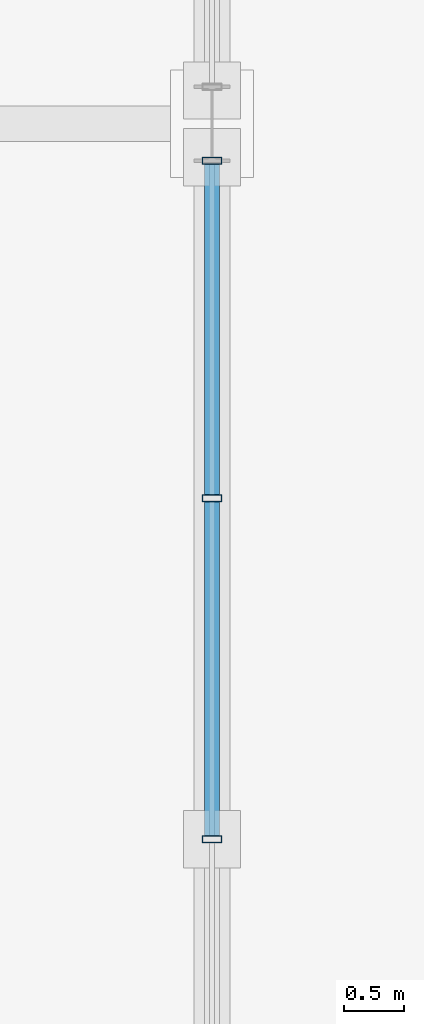
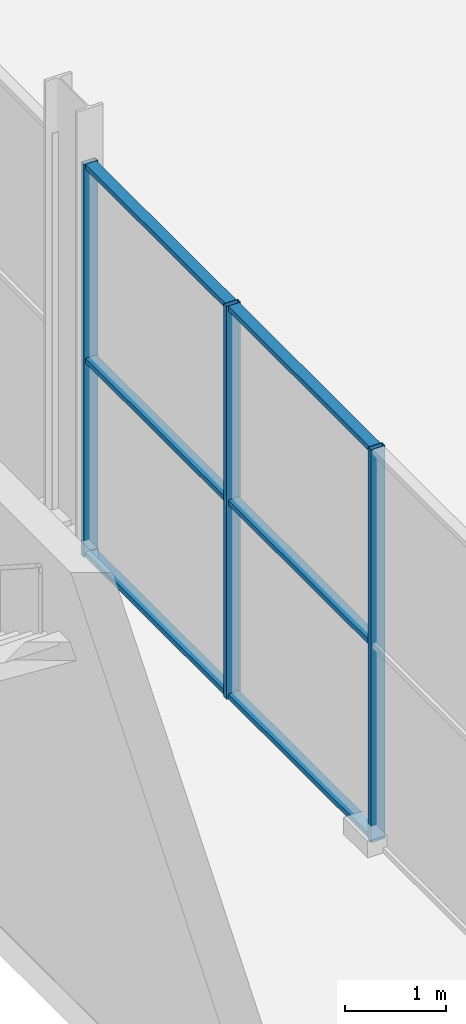
# One storey, part 58 of 196: 9 members, 1 element without a shape of its own.
"""IFC4 building model written with IfcOpenShell, lengths in metres."""

import ifcopenshell
import ifcopenshell.guid

model = None  # the IFC model being written
_history = None  # IfcOwnerHistory: only IFC2X3 demands one
_inside = {}  # id of a spatial element -> (the spatial element, [elements in it])
_under = {}  # id of a project, library or spatial element -> (it, [spatial elements below it])
_declared = {}  # id of a project -> (the project, [libraries it declares])
_typed = {}  # id of a type object -> (the type object, [elements of that type])
_made_of = {}  # id of a material, layer set ... -> (it, [elements and type objects made of it])


def new_model(schema):
    """Start an empty IFC model of exactly this schema.

    Asked for "IFC4X3", IfcOpenShell would pick the latest addendum, in which some entities
    have other attributes; the version numbers below select the first issue.
    IFC2X3 requires an IfcOwnerHistory on every rooted entity: one is made here for all.
    """
    global model, _history
    if schema == "IFC4X3":
        model = ifcopenshell.file(schema_version=(4, 3, 0, 0))
    else:
        model = ifcopenshell.file(schema=schema)
    _inside.clear()
    _under.clear()
    _declared.clear()
    _typed.clear()
    _made_of.clear()
    _history = None
    if model.schema == "IFC2X3":
        org = make("IfcOrganization", Name="unknown")
        user = make(
            "IfcPersonAndOrganization",
            ThePerson=make("IfcPerson", FamilyName="unknown"),
            TheOrganization=org,
        )
        app = make(
            "IfcApplication",
            ApplicationDeveloper=org,
            Version="unknown",
            ApplicationFullName="unknown",
            ApplicationIdentifier="unknown",
        )
        _history = make(
            "IfcOwnerHistory",
            OwningUser=user,
            OwningApplication=app,
            ChangeAction="ADDED",
            CreationDate=0,
        )
    return model


def make(cls, **values):
    """One entity of the class cls with the attributes given. An attribute that is None is left unset."""
    return model.create_entity(
        cls, **{name: value for name, value in values.items() if value is not None}
    )


def rooted(cls, **values):
    """An entity with a GlobalId (a new one), such as an element, a storey or a relation."""
    return make(cls, GlobalId=ifcopenshell.guid.new(), OwnerHistory=_history, **values)


def si_unit(unit_type, name, prefix=None):
    """IfcSIUnit, for example si_unit("LENGTHUNIT", "METRE", prefix="MILLI")."""
    return make("IfcSIUnit", UnitType=unit_type, Prefix=prefix, Name=name)


def assignment(units):
    """IfcUnitAssignment: the units of a project."""
    return None if units is None else make("IfcUnitAssignment", Units=units)


def point(xyz):
    """IfcCartesianPoint."""
    return None if xyz is None else make("IfcCartesianPoint", Coordinates=xyz)


def direction(xyz):
    """IfcDirection."""
    return None if xyz is None else make("IfcDirection", DirectionRatios=xyz)


def frame(location, z_axis=None, x_axis=None):
    """IfcAxis2Placement3D, a coordinate frame: its origin and axes. An axis left out is left unset."""
    return make(
        "IfcAxis2Placement3D",
        Location=point(location),
        Axis=direction(z_axis),
        RefDirection=direction(x_axis),
    )


def frame_2d(location, x_axis=None):
    """IfcAxis2Placement2D, a coordinate frame in the plane: its origin and x axis."""
    return make(
        "IfcAxis2Placement2D", Location=point(location), RefDirection=direction(x_axis)
    )


def origin():
    """The frame at (0, 0, 0) with its axes left unset."""
    return frame((0.0, 0.0, 0.0))


def origin_2d():
    """The frame at (0, 0) in the plane with its x axis left unset."""
    return frame_2d((0.0, 0.0))


def place(relative_to, where):
    """IfcLocalPlacement: puts the frame where relative to a parent placement (None: the world)."""
    return make(
        "IfcLocalPlacement", PlacementRelTo=relative_to, RelativePlacement=where
    )


def context(
    kind, dimensions, precision=None, world=None, true_north=None, identifier=None
):
    """IfcGeometricRepresentationContext, for example the 3D "Model" context."""
    return make(
        "IfcGeometricRepresentationContext",
        ContextIdentifier=identifier,
        ContextType=kind,
        CoordinateSpaceDimension=dimensions,
        Precision=precision,
        WorldCoordinateSystem=world,
        TrueNorth=true_north,
    )


def subcontext(parent, identifier, kind, view, scale=None):
    """IfcGeometricRepresentationSubContext, for example "Body" below "Model"."""
    return make(
        "IfcGeometricRepresentationSubContext",
        ContextIdentifier=identifier,
        ContextType=kind,
        ParentContext=parent,
        TargetScale=scale,
        TargetView=view,
    )


def project(units=None, contexts=None):
    """IfcProject with its units and contexts."""
    return rooted(
        "IfcProject",
        Name="project",
        RepresentationContexts=contexts,
        UnitsInContext=assignment(units),
    )


def spatial(cls, under=None, at=None, **own):
    """A site, building, storey or space (cls), placed at a placement, below another one or the project."""
    s = rooted(cls, ObjectPlacement=at, **own)
    if under is not None:
        _under.setdefault(under.id(), (under, []))[1].append(s)
    return s


def profile(cls, at=None, kind="AREA", **sizes):
    """A parametric profile (cls). Its sizes go by their IFC names, for example OverallWidth=200.0."""
    return make(cls, ProfileType=kind, Position=at, **sizes)


def hollow_rectangle(**sizes):
    """IfcRectangleHollowProfileDef."""
    return profile("IfcRectangleHollowProfileDef", **sizes)


def extrude(swept, where, along, depth):
    """IfcExtrudedAreaSolid: the profile swept, set in the frame where, extruded along a direction by depth."""
    return make(
        "IfcExtrudedAreaSolid",
        SweptArea=swept,
        Position=where,
        ExtrudedDirection=direction(along),
        Depth=depth,
    )


def shape(context_of_items, identifier, shape_type, items):
    """IfcShapeRepresentation: the items that make up one representation, for example the "Body"."""
    return make(
        "IfcShapeRepresentation",
        ContextOfItems=context_of_items,
        RepresentationIdentifier=identifier,
        RepresentationType=shape_type,
        Items=items,
    )


def material(Name=None, Category=None):
    """IfcMaterial."""
    return make("IfcMaterial", Name=Name, Category=Category)


def material_profile(
    of_material, cross_section, Name=None, Category=None, Priority=None
):
    """IfcMaterialProfile: a cross section and its material."""
    return make(
        "IfcMaterialProfile",
        Name=Name,
        Material=of_material,
        Profile=cross_section,
        Priority=Priority,
        Category=Category,
    )


def profile_set(profiles, Name=None, composite=None):
    """IfcMaterialProfileSet."""
    return make(
        "IfcMaterialProfileSet",
        Name=Name,
        MaterialProfiles=profiles,
        CompositeProfile=composite,
    )


def made_of(thing, what):
    """Note that an element or type object is made of a material, layer set ...; save() writes the relation."""
    if what is not None:
        _made_of.setdefault(what.id(), (what, []))[1].append(thing)
    return thing


def type_object(cls, material=None, **own):
    """A type object (cls), such as IfcWallType, which elements share."""
    return made_of(rooted(cls, **own), material)


def element(
    cls,
    number,
    at=None,
    inside=None,
    cuts=None,
    type_object=None,
    material=None,
    context=None,
    identifier="Body",
    shape_type=None,
    held_by="IfcProductDefinitionShape",
    body=None,
    shapes=None,
    **own,
):
    """One element of the class cls, such as IfcWall. Its Tag is "e" and its number.

    at: its placement. inside: the storey or other place that contains it. cuts: it is an
    opening in that element (IfcRelVoidsElement). A single representation is given by context,
    identifier, shape_type and body (its items); several are given by shapes. held_by: the class
    of the entity that holds the representations. save() writes the other relations.
    """
    e = rooted(cls, Tag="e%d" % number, ObjectPlacement=at, **own)
    if body is not None:
        shapes = [shape(context, identifier, shape_type, body)]
    if shapes is not None:
        e.Representation = make(held_by, Representations=shapes)
    if inside is not None:
        _inside.setdefault(inside.id(), (inside, []))[1].append(e)
    if cuts is not None:
        rooted(
            "IfcRelVoidsElement", RelatingBuildingElement=cuts, RelatedOpeningElement=e
        )
    if type_object is not None:
        _typed.setdefault(type_object.id(), (type_object, []))[1].append(e)
    return made_of(e, material)


def aggregate(whole, parts):
    """IfcRelAggregates: a whole, such as a stair, and the parts it consists of."""
    return rooted("IfcRelAggregates", RelatingObject=whole, RelatedObjects=parts)


def save(model, path):
    """Write the relations noted so far, then the file.

    IfcRelAggregates (storeys below a building ...), IfcRelContainedInSpatialStructure (elements
    in a storey), IfcRelDefinesByType, IfcRelAssociatesMaterial and IfcRelDeclares: one each for
    every whole, place, type object, material and project.
    """
    for whole, parts in _under.values():
        aggregate(whole, parts)
    for where, things in _inside.values():
        rooted(
            "IfcRelContainedInSpatialStructure",
            RelatedElements=things,
            RelatingStructure=where,
        )
    for kind, things in _typed.values():
        rooted("IfcRelDefinesByType", RelatedObjects=things, RelatingType=kind)
    for what, things in _made_of.values():
        rooted("IfcRelAssociatesMaterial", RelatedObjects=things, RelatingMaterial=what)
    for by, libraries in _declared.values():
        rooted("IfcRelDeclares", RelatingContext=by, RelatedDefinitions=libraries)
    model.write(path)


model = new_model("IFC4")

# Units and contexts
model_context = context("Model", 3, precision=1e-05, world=origin(), true_north=direction((0.0, 1.0)))
body_context = subcontext(model_context, "Body", "Model", "MODEL_VIEW")
ifc_project = project(units=[si_unit("LENGTHUNIT", "METRE"), si_unit("AREAUNIT", "SQUARE_METRE"), si_unit("VOLUMEUNIT", "CUBIC_METRE"), si_unit("PLANEANGLEUNIT", "RADIAN"), si_unit("MASSUNIT", "GRAM", prefix="KILO")], contexts=[model_context])

# Site, building, storey
site_placement = place(None, origin())
site = spatial("IfcSite", under=ifc_project, at=site_placement, CompositionType="ELEMENT")
building_placement = place(site_placement, origin())
building = spatial("IfcBuilding", under=site, at=building_placement, Name="Merenkruunu Market Hall", CompositionType="ELEMENT")
storey_placement = place(building_placement, origin())
storey = spatial("IfcBuildingStorey", under=building, at=storey_placement, Name="L00", CompositionType="ELEMENT", Elevation=0.0)

# Curtain wall, members
ifc_material = material(Name="Powder-coated aluminium", Category="aluminium")
curtain_wall_type = type_object("IfcCurtainWallType", Name="Glazed Curtain Wall CW02", PredefinedType="USERDEFINED", material=ifc_material)
curtain_wall_placement = place(storey_placement, origin())
curtain_wall = element("IfcCurtainWall", 1, at=curtain_wall_placement, inside=storey, type_object=curtain_wall_type, Name="CW-L00-CWM01-127", ObjectType="GLAZED_FACADE", PredefinedType="USERDEFINED")
ifc_material_profile_1 = material_profile(ifc_material, hollow_rectangle(XDim=0.06005859375, YDim=0.159912109375, WallThickness=0.00390625, at=origin_2d()), Name="ALU 60x160x4")
ifc_profile_set_1 = profile_set([ifc_material_profile_1], Name="Powder-coated aluminium")
member_type_1 = type_object("IfcMemberType", Name="Curtain Wall Mullion CWM01", PredefinedType="MULLION", material=ifc_profile_set_1)
member_1_placement = place(storey_placement, frame((57.60009765625, 57.60009765625, 0.0), z_axis=(0.0, 0.0, 1.0), x_axis=(0.0, 1.0, 0.0)))
member_1 = element("IfcMember", 2, at=member_1_placement, type_object=member_type_1, Name="CW02 mullion 3", PredefinedType="MULLION", context=body_context, shape_type="SweptSolid", body=[
    extrude(hollow_rectangle(XDim=0.06005859375, YDim=0.159912109375, WallThickness=0.00390625, at=origin_2d()), origin(), (0.0, 0.0, 1.0), 4.75),
])
member_2_placement = place(storey_placement, frame((57.60009765625, 60.4599609375, 0.0), z_axis=(0.0, 0.0, 1.0), x_axis=(0.0, 1.0, 0.0)))
member_2 = element("IfcMember", 3, at=member_2_placement, type_object=member_type_1, Name="CW02 mullion 4", PredefinedType="MULLION", context=body_context, shape_type="SweptSolid", body=[
    extrude(hollow_rectangle(XDim=0.06005859375, YDim=0.159912109375, WallThickness=0.00390625, at=origin_2d()), origin(), (0.0, 0.0, 1.0), 4.75),
])
member_3_placement = place(storey_placement, frame((57.60009765625, 63.2900390625, 0.0), z_axis=(0.0, 0.0, 1.0), x_axis=(0.0, 1.0, 0.0)))
member_3 = element("IfcMember", 4, at=member_3_placement, type_object=member_type_1, Name="CW02 mullion 5", PredefinedType="MULLION", context=body_context, shape_type="SweptSolid", body=[
    extrude(hollow_rectangle(XDim=0.06005859375, YDim=0.159912109375, WallThickness=0.00390625, at=origin_2d()), origin(), (0.0, 0.0, 1.0), 4.75),
])
ifc_material_profile_2 = material_profile(ifc_material, hollow_rectangle(XDim=0.06005859375, YDim=0.125, WallThickness=0.00390625, at=origin_2d()), Name="ALU 60x125x4")
ifc_profile_set_2 = profile_set([ifc_material_profile_2], Name="Powder-coated aluminium")
member_type_2 = type_object("IfcMemberType", Name="Curtain Wall Transom CWT01", PredefinedType="USERDEFINED", material=ifc_profile_set_2)
member_4_placement = place(storey_placement, frame((57.60009765625, 57.6298828125, 0.030029296875), z_axis=(0.0, 1.0, 0.0), x_axis=(0.0, 0.0, 1.0)))
member_4 = element("IfcMember", 5, at=member_4_placement, type_object=member_type_2, Name="CW02 transom 3.1", ObjectType="TRANSOM", PredefinedType="USERDEFINED", context=body_context, shape_type="SweptSolid", body=[
    extrude(hollow_rectangle(XDim=0.06005859375, YDim=0.125, WallThickness=0.00390625, at=origin_2d()), origin(), (0.0, 0.0, 1.0), 2.800048828125),
])
member_5_placement = place(storey_placement, frame((57.60009765625, 57.6298828125, 2.375), z_axis=(0.0, 1.0, 0.0), x_axis=(0.0, 0.0, 1.0)))
member_5 = element("IfcMember", 6, at=member_5_placement, type_object=member_type_2, Name="CW02 transom 3.2", ObjectType="TRANSOM", PredefinedType="USERDEFINED", context=body_context, shape_type="SweptSolid", body=[
    extrude(hollow_rectangle(XDim=0.06005859375, YDim=0.125, WallThickness=0.00390625, at=origin_2d()), origin(), (0.0, 0.0, 1.0), 2.800048828125),
])
member_6_placement = place(storey_placement, frame((57.60009765625, 57.6298828125, 4.719970703125), z_axis=(0.0, 1.0, 0.0), x_axis=(0.0, 0.0, 1.0)))
member_6 = element("IfcMember", 7, at=member_6_placement, type_object=member_type_2, Name="CW02 transom 3.3", ObjectType="TRANSOM", PredefinedType="USERDEFINED", context=body_context, shape_type="SweptSolid", body=[
    extrude(hollow_rectangle(XDim=0.06005859375, YDim=0.125, WallThickness=0.00390625, at=origin_2d()), origin(), (0.0, 0.0, 1.0), 2.800048828125),
])
member_7_placement = place(storey_placement, frame((57.60009765625, 60.489990234375, 0.030029296875), z_axis=(0.0, 1.0, 0.0), x_axis=(0.0, 0.0, 1.0)))
member_7 = element("IfcMember", 8, at=member_7_placement, type_object=member_type_2, Name="CW02 transom 4.1", ObjectType="TRANSOM", PredefinedType="USERDEFINED", context=body_context, shape_type="SweptSolid", body=[
    extrude(hollow_rectangle(XDim=0.06005859375, YDim=0.125, WallThickness=0.00390625, at=origin_2d()), origin(), (0.0, 0.0, 1.0), 2.77001953125),
])
member_8_placement = place(storey_placement, frame((57.60009765625, 60.489990234375, 2.375), z_axis=(0.0, 1.0, 0.0), x_axis=(0.0, 0.0, 1.0)))
member_8 = element("IfcMember", 9, at=member_8_placement, type_object=member_type_2, Name="CW02 transom 4.2", ObjectType="TRANSOM", PredefinedType="USERDEFINED", context=body_context, shape_type="SweptSolid", body=[
    extrude(hollow_rectangle(XDim=0.06005859375, YDim=0.125, WallThickness=0.00390625, at=origin_2d()), origin(), (0.0, 0.0, 1.0), 2.77001953125),
])
member_9_placement = place(storey_placement, frame((57.60009765625, 60.489990234375, 4.719970703125), z_axis=(0.0, 1.0, 0.0), x_axis=(0.0, 0.0, 1.0)))
member_9 = element("IfcMember", 10, at=member_9_placement, type_object=member_type_2, Name="CW02 transom 4.3", ObjectType="TRANSOM", PredefinedType="USERDEFINED", context=body_context, shape_type="SweptSolid", body=[
    extrude(hollow_rectangle(XDim=0.06005859375, YDim=0.125, WallThickness=0.00390625, at=origin_2d()), origin(), (0.0, 0.0, 1.0), 2.77001953125),
])
aggregate(curtain_wall, [member_1, member_2, member_3, member_4, member_5, member_6, member_7, member_8, member_9])

save(model, "model.ifc")
